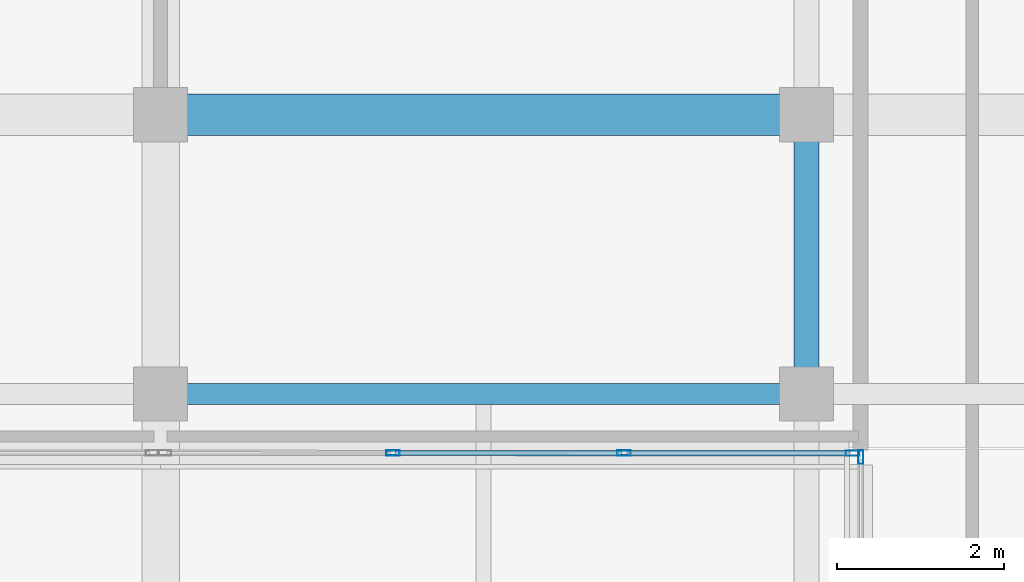
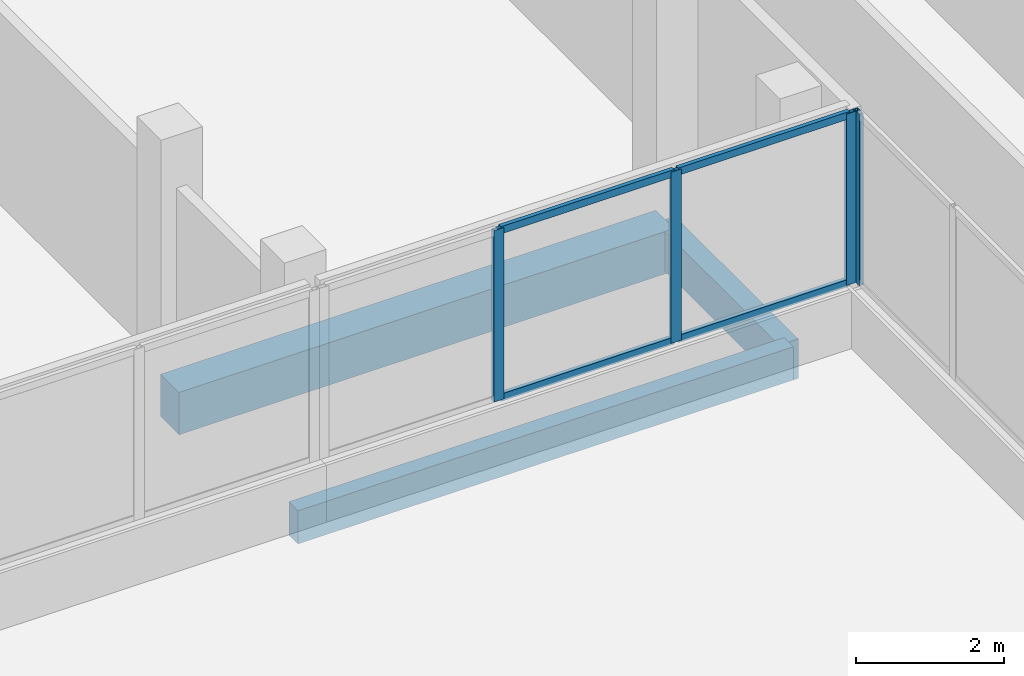
# One storey, part 47 of 78: 8 members, 3 beams, 2 elements without a shape of their own.
"""IFC4 building model written with IfcOpenShell, lengths in metres."""

from ifc_helpers import new_model, si_unit, direction, frame, origin, origin_2d, place, context, subcontext, project, spatial, rectangle, hollow_rectangle, extrude, material, material_profile, profile_set, type_object, element, aggregate, save


model = new_model("IFC4")

# Units and contexts
model_context = context("Model", 3, precision=1e-05, world=origin(), true_north=direction((0.0, 1.0)))
body_context = subcontext(model_context, "Body", "Model", "MODEL_VIEW")
ifc_project = project(units=[si_unit("LENGTHUNIT", "METRE"), si_unit("AREAUNIT", "SQUARE_METRE"), si_unit("VOLUMEUNIT", "CUBIC_METRE"), si_unit("PLANEANGLEUNIT", "RADIAN"), si_unit("MASSUNIT", "GRAM", prefix="KILO")], contexts=[model_context])

# Site, building, storey
site_placement = place(None, origin())
site = spatial("IfcSite", under=ifc_project, at=site_placement, CompositionType="ELEMENT")
building_placement = place(site_placement, origin())
building = spatial("IfcBuilding", under=site, at=building_placement, Name="Selatvlak General Hospital", CompositionType="ELEMENT")
storey_placement = place(building_placement, frame((0.0, 0.0, 23.25)))
storey = spatial("IfcBuildingStorey", under=building, at=storey_placement, Name="L05", CompositionType="ELEMENT", Elevation=23.25)

# Beams
ifc_material_1 = material(Name="Concrete C40/50", Category="concrete")
ifc_material_profile_1 = material_profile(ifc_material_1, rectangle(XDim=0.5, YDim=0.699951171875, at=origin_2d()), Name="RC-BM 500x700")
ifc_profile_set_1 = profile_set([ifc_material_profile_1], Name="Concrete C40/50")
beam_type_1 = type_object("IfcBeamType", Name="BM-G03", PredefinedType="BEAM", material=ifc_profile_set_1)
beam_1_placement = place(storey_placement, frame((140.39990234375, 92.0, -0.6298828125), z_axis=(1.0, 0.0, 0.0), x_axis=(0.0, 1.0, 0.0)))
element("IfcBeam", 1, at=beam_1_placement, inside=storey, type_object=beam_type_1, Name="Beam BMR-L05-1916", PredefinedType="BEAM", context=body_context, shape_type="SweptSolid", body=[
    extrude(rectangle(XDim=0.5, YDim=0.699951171875, at=origin_2d()), origin(), (0.0, 0.0, 1.0), 7.75),
])
ifc_material_profile_2 = material_profile(ifc_material_1, rectangle(XDim=0.300048828125, YDim=0.64990234375, at=origin_2d()), Name="RC-SP 300x650")
ifc_profile_set_2 = profile_set([ifc_material_profile_2], Name="Concrete C40/50")
beam_type_2 = type_object("IfcBeamType", Name="BM-SP1", PredefinedType="SPANDREL", material=ifc_profile_set_2)
beam_2_placement = place(storey_placement, frame((148.14990234375, 88.64990234375, -0.60498046875), z_axis=(0.0, 1.0, 0.0), x_axis=(-1.0, 0.0, 0.0)))
element("IfcBeam", 2, at=beam_2_placement, inside=storey, type_object=beam_type_2, Name="Beam BMR-L05-2075", PredefinedType="SPANDREL", context=body_context, shape_type="SweptSolid", body=[
    extrude(rectangle(XDim=0.300048828125, YDim=0.64990234375, at=origin_2d()), origin(), (0.0, 0.0, 1.0), 3.35009765625),
])
ifc_material_profile_3 = material_profile(ifc_material_1, rectangle(XDim=0.25, YDim=0.550048828125, at=origin_2d()), Name="RC-SP 250x550")
ifc_profile_set_3 = profile_set([ifc_material_profile_3], Name="Concrete C40/50")
beam_type_3 = type_object("IfcBeamType", Name="BM-SP2", PredefinedType="SPANDREL", material=ifc_profile_set_3)
beam_3_placement = place(storey_placement, frame((140.39990234375, 88.64990234375, -0.554931640625), z_axis=(1.0, 0.0, 0.0), x_axis=(0.0, 1.0, 0.0)))
element("IfcBeam", 3, at=beam_3_placement, inside=storey, type_object=beam_type_3, Name="Beam BMR-L05-1896", PredefinedType="SPANDREL", context=body_context, shape_type="SweptSolid", body=[
    extrude(rectangle(XDim=0.25, YDim=0.550048828125, at=origin_2d()), origin(), (0.0, 0.0, 1.0), 7.75),
])

# Curtain wall, member
ifc_material_2 = material(Name="Solar-control Low-E double glazing", Category="glass")
curtain_wall_type = type_object("IfcCurtainWallType", Name="CW-CW-01", PredefinedType="USERDEFINED", material=ifc_material_2)
curtain_wall_1_placement = place(storey_placement, origin())
curtain_wall_1 = element("IfcCurtainWall", 4, at=curtain_wall_1_placement, inside=storey, type_object=curtain_wall_type, Name="Glazed facade curtain wall CW-L05-0578", ObjectType="UNITISED CURTAIN WALL", PredefinedType="USERDEFINED")
ifc_material_3 = material(Name="Dark anodised aluminium mullion", Category="aluminium")
ifc_material_profile_4 = material_profile(ifc_material_3, hollow_rectangle(XDim=0.06494140625, YDim=0.159912109375, WallThickness=0.00390625, at=origin_2d()), Name="AL-MUL 65x160x4")
ifc_profile_set_4 = profile_set([ifc_material_profile_4], Name="Dark anodised aluminium mullion")
member_type_1 = type_object("IfcMemberType", Name="CWM-01", PredefinedType="MULLION", material=ifc_profile_set_4)
member_1_placement = place(storey_placement, frame((148.800048828125, 87.892578125, 0.93994140625), z_axis=(0.0, 0.0, 1.0), x_axis=(-1.0, 0.0, 0.0)))
member_1 = element("IfcMember", 5, at=member_1_placement, type_object=member_type_1, Name="CW-01 mullion 4", PredefinedType="MULLION", context=body_context, shape_type="SweptSolid", body=[
    extrude(hollow_rectangle(XDim=0.06494140625, YDim=0.159912109375, WallThickness=0.00390625, at=origin_2d()), origin(), (0.0, 0.0, 1.0), 2.8349609375),
])
aggregate(curtain_wall_1, [member_1])

# Curtain wall, members
curtain_wall_2_placement = place(storey_placement, origin())
curtain_wall_2 = element("IfcCurtainWall", 6, at=curtain_wall_2_placement, inside=storey, type_object=curtain_wall_type, Name="Glazed facade curtain wall CW-L05-0579", ObjectType="UNITISED CURTAIN WALL", PredefinedType="USERDEFINED")
member_2_placement = place(storey_placement, frame((148.702392578125, 87.93994140625, 0.93994140625), z_axis=(0.0, 0.0, 1.0), x_axis=(-0.00048076918, -0.99999988443, 0.0)))
member_2 = element("IfcMember", 7, at=member_2_placement, type_object=member_type_1, Name="CW-01 mullion 1", PredefinedType="MULLION", context=body_context, shape_type="SweptSolid", body=[
    extrude(hollow_rectangle(XDim=0.06494140625, YDim=0.159912109375, WallThickness=0.00390625, at=origin_2d()), origin(), (0.0, 0.0, 1.0), 2.8349609375),
])
member_3_placement = place(storey_placement, frame((145.961669921875, 87.94140625, 0.93994140625), z_axis=(0.0, 0.0, 1.0), x_axis=(-0.00048076918, -0.99999988443, 0.0)))
member_3 = element("IfcMember", 8, at=member_3_placement, type_object=member_type_1, Name="CW-01 mullion 2", PredefinedType="MULLION", context=body_context, shape_type="SweptSolid", body=[
    extrude(hollow_rectangle(XDim=0.06494140625, YDim=0.159912109375, WallThickness=0.00390625, at=origin_2d()), origin(), (0.0, 0.0, 1.0), 2.8349609375),
])
member_4_placement = place(storey_placement, frame((143.188232421875, 87.942626953125, 0.93994140625), z_axis=(0.0, 0.0, 1.0), x_axis=(-0.00048076918, -0.99999988443, 0.0)))
member_4 = element("IfcMember", 9, at=member_4_placement, type_object=member_type_1, Name="CW-01 mullion 3", PredefinedType="MULLION", context=body_context, shape_type="SweptSolid", body=[
    extrude(hollow_rectangle(XDim=0.06494140625, YDim=0.159912109375, WallThickness=0.00390625, at=origin_2d()), origin(), (0.0, 0.0, 1.0), 2.8349609375),
])
ifc_material_profile_5 = material_profile(ifc_material_3, hollow_rectangle(XDim=0.06494140625, YDim=0.1201171875, WallThickness=0.00390625, at=origin_2d()), Name="AL-TRN 65x120x4")
ifc_profile_set_5 = profile_set([ifc_material_profile_5], Name="Dark anodised aluminium mullion")
member_type_2 = type_object("IfcMemberType", Name="CWT-01", PredefinedType="USERDEFINED", material=ifc_profile_set_5)
member_5_placement = place(storey_placement, frame((148.669921875, 87.93994140625, 0.972412109375), z_axis=(-0.999999850152, 0.000547445173, 0.0), x_axis=(-0.000547445173, -0.999999850152, 0.0)))
member_5 = element("IfcMember", 10, at=member_5_placement, type_object=member_type_2, Name="CW-01 transom 1.1", ObjectType="TRANSOM", PredefinedType="USERDEFINED", context=body_context, shape_type="SweptSolid", body=[
    extrude(hollow_rectangle(XDim=0.06494140625, YDim=0.1201171875, WallThickness=0.00390625, at=origin_2d()), origin(), (0.0, 0.0, 1.0), 2.67578125),
])
member_6_placement = place(storey_placement, frame((148.669921875, 87.93994140625, 3.742431640625), z_axis=(-0.999999850152, 0.000547445173, 0.0), x_axis=(-0.000547445173, -0.999999850152, 0.0)))
member_6 = element("IfcMember", 11, at=member_6_placement, type_object=member_type_2, Name="CW-01 transom 1.2", ObjectType="TRANSOM", PredefinedType="USERDEFINED", context=body_context, shape_type="SweptSolid", body=[
    extrude(hollow_rectangle(XDim=0.06494140625, YDim=0.1201171875, WallThickness=0.00390625, at=origin_2d()), origin(), (0.0, 0.0, 1.0), 2.67578125),
])
member_7_placement = place(storey_placement, frame((145.92919921875, 87.94140625, 0.972412109375), z_axis=(-0.999999898419, 0.000450734652, 0.0), x_axis=(-0.000450734652, -0.999999898419, 0.0)))
member_7 = element("IfcMember", 12, at=member_7_placement, type_object=member_type_2, Name="CW-01 transom 2.1", ObjectType="TRANSOM", PredefinedType="USERDEFINED", context=body_context, shape_type="SweptSolid", body=[
    extrude(hollow_rectangle(XDim=0.06494140625, YDim=0.1201171875, WallThickness=0.00390625, at=origin_2d()), origin(), (0.0, 0.0, 1.0), 2.708251953125),
])
member_8_placement = place(storey_placement, frame((145.92919921875, 87.94140625, 3.742431640625), z_axis=(-0.999999898419, 0.000450734652, 0.0), x_axis=(-0.000450734652, -0.999999898419, 0.0)))
member_8 = element("IfcMember", 13, at=member_8_placement, type_object=member_type_2, Name="CW-01 transom 2.2", ObjectType="TRANSOM", PredefinedType="USERDEFINED", context=body_context, shape_type="SweptSolid", body=[
    extrude(hollow_rectangle(XDim=0.06494140625, YDim=0.1201171875, WallThickness=0.00390625, at=origin_2d()), origin(), (0.0, 0.0, 1.0), 2.708251953125),
])
aggregate(curtain_wall_2, [member_2, member_3, member_4, member_5, member_6, member_7, member_8])

save(model, "model.ifc")
